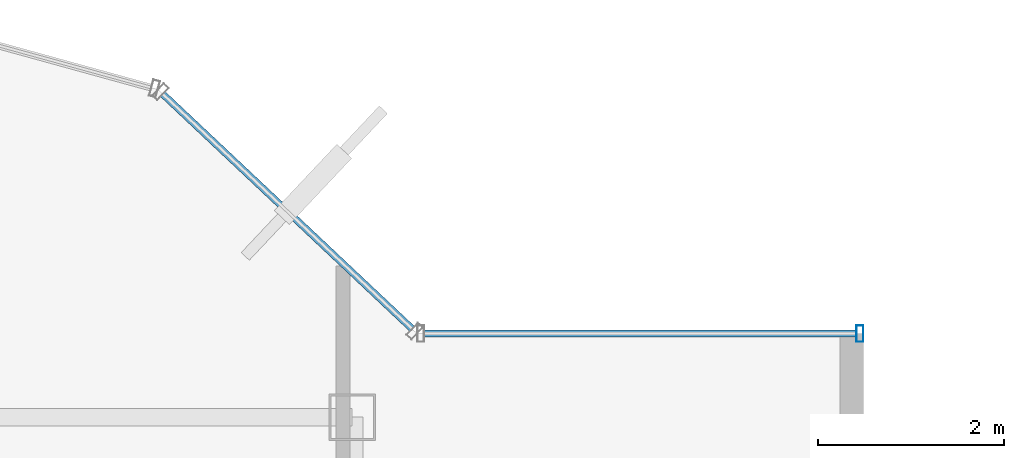
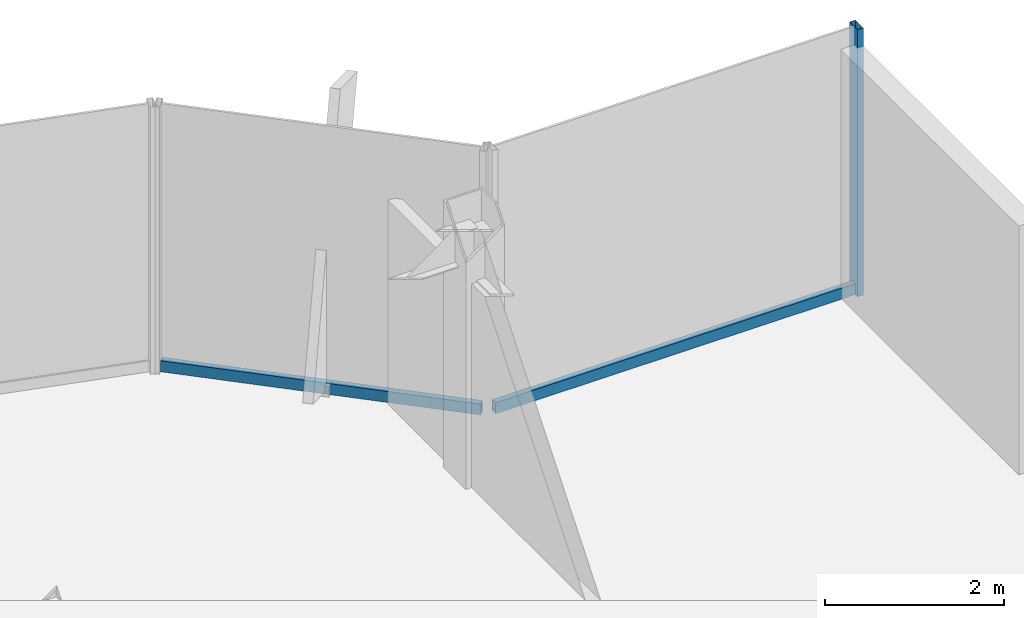
# One storey, part 15 of 22: 3 members, 2 elements without a shape of their own.
"""IFC4 building model written with IfcOpenShell, lengths in metres."""

import ifcopenshell
import ifcopenshell.guid

model = None  # the IFC model being written
_history = None  # IfcOwnerHistory: only IFC2X3 demands one
_inside = {}  # id of a spatial element -> (the spatial element, [elements in it])
_under = {}  # id of a project, library or spatial element -> (it, [spatial elements below it])
_declared = {}  # id of a project -> (the project, [libraries it declares])
_typed = {}  # id of a type object -> (the type object, [elements of that type])
_made_of = {}  # id of a material, layer set ... -> (it, [elements and type objects made of it])


def new_model(schema):
    """Start an empty IFC model of exactly this schema.

    Asked for "IFC4X3", IfcOpenShell would pick the latest addendum, in which some entities
    have other attributes; the version numbers below select the first issue.
    IFC2X3 requires an IfcOwnerHistory on every rooted entity: one is made here for all.
    """
    global model, _history
    if schema == "IFC4X3":
        model = ifcopenshell.file(schema_version=(4, 3, 0, 0))
    else:
        model = ifcopenshell.file(schema=schema)
    _inside.clear()
    _under.clear()
    _declared.clear()
    _typed.clear()
    _made_of.clear()
    _history = None
    if model.schema == "IFC2X3":
        org = make("IfcOrganization", Name="unknown")
        user = make(
            "IfcPersonAndOrganization",
            ThePerson=make("IfcPerson", FamilyName="unknown"),
            TheOrganization=org,
        )
        app = make(
            "IfcApplication",
            ApplicationDeveloper=org,
            Version="unknown",
            ApplicationFullName="unknown",
            ApplicationIdentifier="unknown",
        )
        _history = make(
            "IfcOwnerHistory",
            OwningUser=user,
            OwningApplication=app,
            ChangeAction="ADDED",
            CreationDate=0,
        )
    return model


def make(cls, **values):
    """One entity of the class cls with the attributes given. An attribute that is None is left unset."""
    return model.create_entity(
        cls, **{name: value for name, value in values.items() if value is not None}
    )


def rooted(cls, **values):
    """An entity with a GlobalId (a new one), such as an element, a storey or a relation."""
    return make(cls, GlobalId=ifcopenshell.guid.new(), OwnerHistory=_history, **values)


def si_unit(unit_type, name, prefix=None):
    """IfcSIUnit, for example si_unit("LENGTHUNIT", "METRE", prefix="MILLI")."""
    return make("IfcSIUnit", UnitType=unit_type, Prefix=prefix, Name=name)


def derived_unit(unit_type, elements):
    """IfcDerivedUnit: a product of units, each with its exponent."""
    return make(
        "IfcDerivedUnit",
        Elements=[
            make("IfcDerivedUnitElement", Unit=unit, Exponent=power)
            for unit, power in elements
        ],
        UnitType=unit_type,
    )


def assignment(units):
    """IfcUnitAssignment: the units of a project."""
    return None if units is None else make("IfcUnitAssignment", Units=units)


def point(xyz):
    """IfcCartesianPoint."""
    return None if xyz is None else make("IfcCartesianPoint", Coordinates=xyz)


def direction(xyz):
    """IfcDirection."""
    return None if xyz is None else make("IfcDirection", DirectionRatios=xyz)


def frame(location, z_axis=None, x_axis=None):
    """IfcAxis2Placement3D, a coordinate frame: its origin and axes. An axis left out is left unset."""
    return make(
        "IfcAxis2Placement3D",
        Location=point(location),
        Axis=direction(z_axis),
        RefDirection=direction(x_axis),
    )


def frame_2d(location, x_axis=None):
    """IfcAxis2Placement2D, a coordinate frame in the plane: its origin and x axis."""
    return make(
        "IfcAxis2Placement2D", Location=point(location), RefDirection=direction(x_axis)
    )


def origin():
    """The frame at (0, 0, 0) with its axes left unset."""
    return frame((0.0, 0.0, 0.0))


def origin_2d():
    """The frame at (0, 0) in the plane with its x axis left unset."""
    return frame_2d((0.0, 0.0))


def place(relative_to, where):
    """IfcLocalPlacement: puts the frame where relative to a parent placement (None: the world)."""
    return make(
        "IfcLocalPlacement", PlacementRelTo=relative_to, RelativePlacement=where
    )


def context(
    kind, dimensions, precision=None, world=None, true_north=None, identifier=None
):
    """IfcGeometricRepresentationContext, for example the 3D "Model" context."""
    return make(
        "IfcGeometricRepresentationContext",
        ContextIdentifier=identifier,
        ContextType=kind,
        CoordinateSpaceDimension=dimensions,
        Precision=precision,
        WorldCoordinateSystem=world,
        TrueNorth=true_north,
    )


def subcontext(parent, identifier, kind, view, scale=None):
    """IfcGeometricRepresentationSubContext, for example "Body" below "Model"."""
    return make(
        "IfcGeometricRepresentationSubContext",
        ContextIdentifier=identifier,
        ContextType=kind,
        ParentContext=parent,
        TargetScale=scale,
        TargetView=view,
    )


def project(units=None, contexts=None):
    """IfcProject with its units and contexts."""
    return rooted(
        "IfcProject",
        Name="project",
        RepresentationContexts=contexts,
        UnitsInContext=assignment(units),
    )


def spatial(cls, under=None, at=None, **own):
    """A site, building, storey or space (cls), placed at a placement, below another one or the project."""
    s = rooted(cls, ObjectPlacement=at, **own)
    if under is not None:
        _under.setdefault(under.id(), (under, []))[1].append(s)
    return s


def profile(cls, at=None, kind="AREA", **sizes):
    """A parametric profile (cls). Its sizes go by their IFC names, for example OverallWidth=200.0."""
    return make(cls, ProfileType=kind, Position=at, **sizes)


def hollow_rectangle(**sizes):
    """IfcRectangleHollowProfileDef."""
    return profile("IfcRectangleHollowProfileDef", **sizes)


def extrude(swept, where, along, depth):
    """IfcExtrudedAreaSolid: the profile swept, set in the frame where, extruded along a direction by depth."""
    return make(
        "IfcExtrudedAreaSolid",
        SweptArea=swept,
        Position=where,
        ExtrudedDirection=direction(along),
        Depth=depth,
    )


def shape(context_of_items, identifier, shape_type, items):
    """IfcShapeRepresentation: the items that make up one representation, for example the "Body"."""
    return make(
        "IfcShapeRepresentation",
        ContextOfItems=context_of_items,
        RepresentationIdentifier=identifier,
        RepresentationType=shape_type,
        Items=items,
    )


def source(mapping_origin, context_of_items, identifier, shape_type, items):
    """IfcRepresentationMap: a shape defined once, which mapped items show again and again."""
    return make(
        "IfcRepresentationMap",
        MappingOrigin=mapping_origin,
        MappedRepresentation=shape(context_of_items, identifier, shape_type, items),
    )


def transform(
    local_origin,
    x_axis=None,
    y_axis=None,
    z_axis=None,
    scale=None,
    scale2=None,
    scale3=None,
    uniform=True,
):
    """IfcCartesianTransformationOperator3D, or its non-uniform kind. x_axis, y_axis, z_axis: its Axis1, 2, 3."""
    if uniform:
        return make(
            "IfcCartesianTransformationOperator3D",
            Axis1=direction(x_axis),
            Axis2=direction(y_axis),
            LocalOrigin=point(local_origin),
            Scale=scale,
            Axis3=direction(z_axis),
        )
    return make(
        "IfcCartesianTransformationOperator3DnonUniform",
        Axis1=direction(x_axis),
        Axis2=direction(y_axis),
        LocalOrigin=point(local_origin),
        Scale=scale,
        Axis3=direction(z_axis),
        Scale2=scale2,
        Scale3=scale3,
    )


def mapped(mapping_source, mapping_target):
    """IfcMappedItem: shows the shape of a source again, moved by a transform."""
    return make(
        "IfcMappedItem", MappingSource=mapping_source, MappingTarget=mapping_target
    )


def material(Name=None, Category=None):
    """IfcMaterial."""
    return make("IfcMaterial", Name=Name, Category=Category)


def material_profile(
    of_material, cross_section, Name=None, Category=None, Priority=None
):
    """IfcMaterialProfile: a cross section and its material."""
    return make(
        "IfcMaterialProfile",
        Name=Name,
        Material=of_material,
        Profile=cross_section,
        Priority=Priority,
        Category=Category,
    )


def profile_set(profiles, Name=None, composite=None):
    """IfcMaterialProfileSet."""
    return make(
        "IfcMaterialProfileSet",
        Name=Name,
        MaterialProfiles=profiles,
        CompositeProfile=composite,
    )


def made_of(thing, what):
    """Note that an element or type object is made of a material, layer set ...; save() writes the relation."""
    if what is not None:
        _made_of.setdefault(what.id(), (what, []))[1].append(thing)
    return thing


def type_object(cls, material=None, **own):
    """A type object (cls), such as IfcWallType, which elements share."""
    return made_of(rooted(cls, **own), material)


def element(
    cls,
    number,
    at=None,
    inside=None,
    cuts=None,
    type_object=None,
    material=None,
    context=None,
    identifier="Body",
    shape_type=None,
    held_by="IfcProductDefinitionShape",
    body=None,
    shapes=None,
    **own,
):
    """One element of the class cls, such as IfcWall. Its Tag is "e" and its number.

    at: its placement. inside: the storey or other place that contains it. cuts: it is an
    opening in that element (IfcRelVoidsElement). A single representation is given by context,
    identifier, shape_type and body (its items); several are given by shapes. held_by: the class
    of the entity that holds the representations. save() writes the other relations.
    """
    e = rooted(cls, Tag="e%d" % number, ObjectPlacement=at, **own)
    if body is not None:
        shapes = [shape(context, identifier, shape_type, body)]
    if shapes is not None:
        e.Representation = make(held_by, Representations=shapes)
    if inside is not None:
        _inside.setdefault(inside.id(), (inside, []))[1].append(e)
    if cuts is not None:
        rooted(
            "IfcRelVoidsElement", RelatingBuildingElement=cuts, RelatedOpeningElement=e
        )
    if type_object is not None:
        _typed.setdefault(type_object.id(), (type_object, []))[1].append(e)
    return made_of(e, material)


def aggregate(whole, parts):
    """IfcRelAggregates: a whole, such as a stair, and the parts it consists of."""
    return rooted("IfcRelAggregates", RelatingObject=whole, RelatedObjects=parts)


def save(model, path):
    """Write the relations noted so far, then the file.

    IfcRelAggregates (storeys below a building ...), IfcRelContainedInSpatialStructure (elements
    in a storey), IfcRelDefinesByType, IfcRelAssociatesMaterial and IfcRelDeclares: one each for
    every whole, place, type object, material and project.
    """
    for whole, parts in _under.values():
        aggregate(whole, parts)
    for where, things in _inside.values():
        rooted(
            "IfcRelContainedInSpatialStructure",
            RelatedElements=things,
            RelatingStructure=where,
        )
    for kind, things in _typed.values():
        rooted("IfcRelDefinesByType", RelatedObjects=things, RelatingType=kind)
    for what, things in _made_of.values():
        rooted("IfcRelAssociatesMaterial", RelatedObjects=things, RelatingMaterial=what)
    for by, libraries in _declared.values():
        rooted("IfcRelDeclares", RelatingContext=by, RelatedDefinitions=libraries)
    model.write(path)


model = new_model("IFC4")

# Units and contexts
model_context = context("Model", 3, precision=1e-05, world=origin(), true_north=direction((0.0, 1.0)))
body_context = subcontext(model_context, "Body", "Model", "MODEL_VIEW")
ifc_project = project(units=[si_unit("LENGTHUNIT", "METRE"), si_unit("AREAUNIT", "SQUARE_METRE"), si_unit("VOLUMEUNIT", "CUBIC_METRE"), si_unit("PLANEANGLEUNIT", "RADIAN"), si_unit("MASSUNIT", "GRAM", prefix="KILO"), derived_unit("THERMALTRANSMITTANCEUNIT", [(si_unit("POWERUNIT", "WATT"), 1), (si_unit("LENGTHUNIT", "METRE"), -2), (si_unit("THERMODYNAMICTEMPERATUREUNIT", "KELVIN"), -1)])], contexts=[model_context])

# Site, building, storey
site_placement = place(None, origin())
site = spatial("IfcSite", under=ifc_project, at=site_placement, CompositionType="ELEMENT")
building_placement = place(site_placement, origin())
building = spatial("IfcBuilding", under=site, at=building_placement, Name="Skarnbrae Concourse Arena and Tower", CompositionType="ELEMENT")
storey_placement = place(building_placement, frame((0.0, 0.0, 217.800048828125)))
storey = spatial("IfcBuildingStorey", under=building, at=storey_placement, Name="L56", CompositionType="ELEMENT", Elevation=217.800048828125)

# Curtain wall, members
ifc_material = material(Name="Bronze anodised aluminium 6063-T6", Category="aluminium")
curtain_wall_type = type_object("IfcCurtainWallType", Name="CW-SYS-05-HIGHZONE", PredefinedType="USERDEFINED", material=ifc_material)
curtain_wall_1_placement = place(storey_placement, origin())
curtain_wall_1 = element("IfcCurtainWall", 1, at=curtain_wall_1_placement, inside=storey, type_object=curtain_wall_type, Name="L56 Unitised curtain wall CW-L56-E07", ObjectType="UNITISED CURTAIN WALL", PredefinedType="USERDEFINED")
ifc_material_profile_1 = material_profile(ifc_material, hollow_rectangle(XDim=0.074951171875, YDim=0.179931640625, WallThickness=0.00390625, at=origin_2d()), Name="ALU-MULL-75X180")
ifc_profile_set_1 = profile_set([ifc_material_profile_1], Name="Bronze anodised aluminium 6063-T6")
member_type_1 = type_object("IfcMemberType", Name="CWM-CW-05", PredefinedType="MULLION", material=ifc_profile_set_1)
shared_shape_1 = source(origin(), body_context, "Body", "SweptSolid", [
    extrude(hollow_rectangle(XDim=0.074951171875, YDim=0.179931640625, WallThickness=0.00390625, at=origin_2d()), origin(), (0.0, 0.0, 1.0), 3.64990234375),
])
member_1_placement = place(storey_placement, frame((38.96240234375, 35.300048828125, 0.0), z_axis=(0.0, 0.0, 1.0), x_axis=(-1.0, 0.0, 0.0)))
member_1 = element("IfcMember", 2, at=member_1_placement, type_object=member_type_1, Name="CW-L56-E07 Mullion 1", PredefinedType="MULLION", context=body_context, shape_type="MappedRepresentation", body=[
    mapped(shared_shape_1, transform((0.0, 0.0, 0.0))),
])
ifc_material_profile_2 = material_profile(ifc_material, hollow_rectangle(XDim=0.074951171875, YDim=0.14990234375, WallThickness=0.00390625, at=origin_2d()), Name="ALU-TRAN-75X150")
ifc_profile_set_2 = profile_set([ifc_material_profile_2], Name="Bronze anodised aluminium 6063-T6")
member_type_2 = type_object("IfcMemberType", Name="CWT-CW-05", PredefinedType="USERDEFINED", material=ifc_profile_set_2)
shared_shape_2 = source(origin(), body_context, "Body", "SweptSolid", [
    extrude(hollow_rectangle(XDim=0.074951171875, YDim=0.14990234375, WallThickness=0.00390625, at=origin_2d()), origin(), (0.0, 0.0, 1.0), 4.650146484375),
])
member_2_placement = place(storey_placement, frame((38.925048828125, 35.300048828125, 0.074951171875), z_axis=(-1.0, 0.0, 0.0), x_axis=(0.0, -1.0, 0.0)))
member_2 = element("IfcMember", 3, at=member_2_placement, type_object=member_type_2, Name="CW-L56-E07 Transom 1", ObjectType="TRANSOM", PredefinedType="USERDEFINED", context=body_context, shape_type="MappedRepresentation", body=[
    mapped(shared_shape_2, transform((0.0, 0.0, 0.0))),
])
aggregate(curtain_wall_1, [member_1, member_2])

# Curtain wall, member
curtain_wall_2_placement = place(storey_placement, origin())
curtain_wall_2 = element("IfcCurtainWall", 4, at=curtain_wall_2_placement, inside=storey, type_object=curtain_wall_type, Name="L56 Unitised curtain wall CW-L56-E08", ObjectType="UNITISED CURTAIN WALL", PredefinedType="USERDEFINED")
shared_shape_3 = source(origin(), body_context, "Body", "SweptSolid", [
    extrude(hollow_rectangle(XDim=0.074951171875, YDim=0.14990234375, WallThickness=0.00390625, at=origin_2d()), origin(), (0.0, 0.0, 1.0), 3.68212890625),
])
member_3_placement = place(storey_placement, frame((34.1455078125, 35.351318359375, 0.074951171875), z_axis=(-0.728133808476, 0.685435012933, 0.0), x_axis=(-0.685435012933, -0.728133808476, 0.0)))
member_3 = element("IfcMember", 5, at=member_3_placement, type_object=member_type_2, Name="CW-L56-E08 Transom 1", ObjectType="TRANSOM", PredefinedType="USERDEFINED", context=body_context, shape_type="MappedRepresentation", body=[
    mapped(shared_shape_3, transform((0.0, 0.0, 0.0))),
])
aggregate(curtain_wall_2, [member_3])

save(model, "model.ifc")
